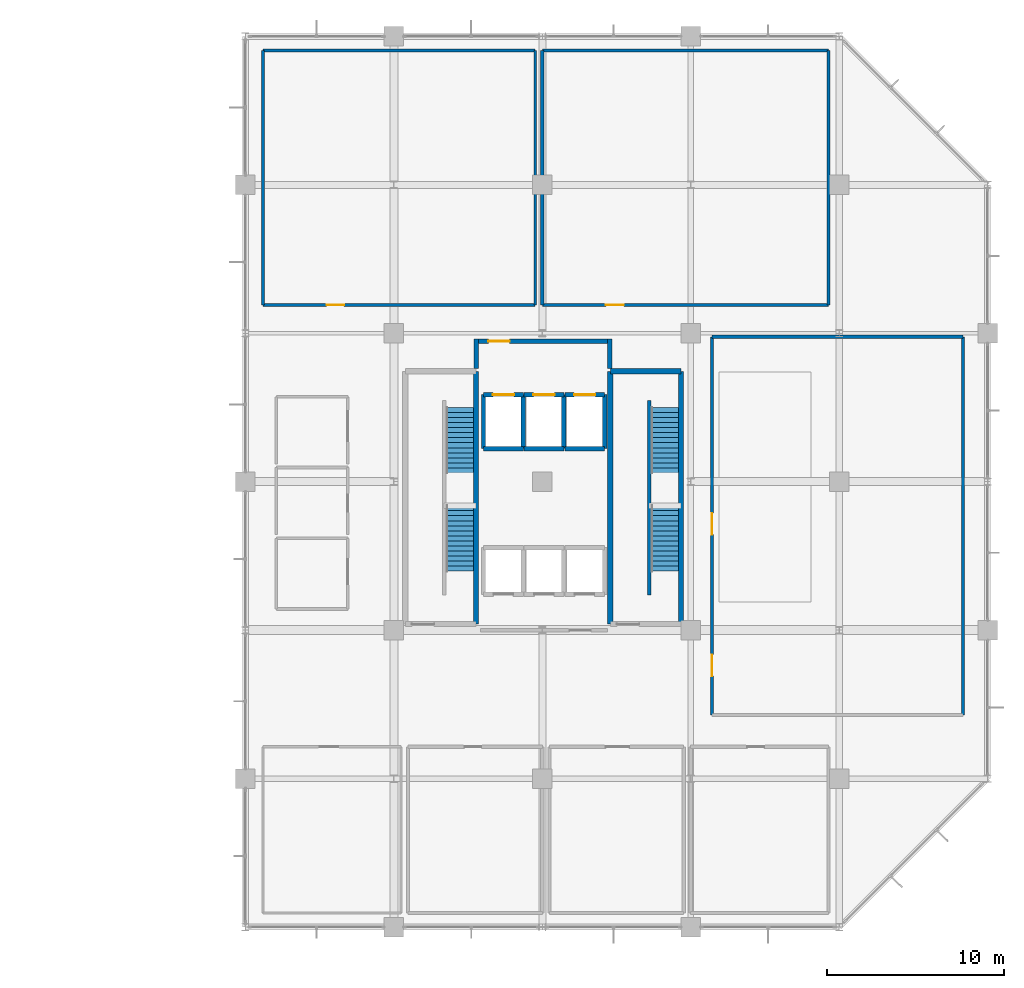
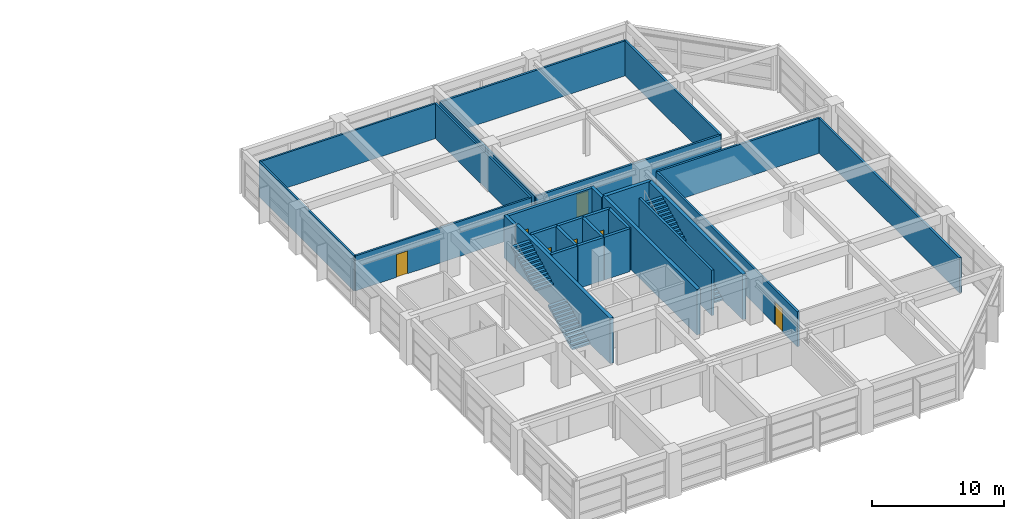
# One storey, part 17 of 19: 29 walls, 8 doors, 4 stair flights, 8 openings, 2 elements without a shape of their own.
"""IFC4 building model written with IfcOpenShell, lengths in metres."""

from ifc_helpers import new_model, si_unit, direction, frame, frame_2d, origin, place, context, subcontext, project, spatial, polyline, rectangle, outline, extrude, material, layer, layer_set, type_object, element, fill, aggregate, save


model = new_model("IFC4")

# Units and contexts
model_context = context("Model", 3, precision=1e-05, world=origin(), true_north=direction((0.0, 1.0)))
body_context = subcontext(model_context, "Body", "Model", "MODEL_VIEW")
ifc_project = project(units=[si_unit("LENGTHUNIT", "METRE"), si_unit("AREAUNIT", "SQUARE_METRE"), si_unit("VOLUMEUNIT", "CUBIC_METRE"), si_unit("PLANEANGLEUNIT", "RADIAN"), si_unit("MASSUNIT", "GRAM", prefix="KILO")], contexts=[model_context])

# Site, building, storey
site_placement = place(None, origin())
site = spatial("IfcSite", under=ifc_project, at=site_placement, CompositionType="ELEMENT")
building_placement = place(site_placement, origin())
building = spatial("IfcBuilding", under=site, at=building_placement, Name="Xuanlan Plaza Opera House", CompositionType="ELEMENT")
storey_placement = place(building_placement, frame((0.0, 0.0, 36.300048828125)))
storey = spatial("IfcBuildingStorey", under=building, at=storey_placement, Name="L08", CompositionType="ELEMENT", Elevation=36.300048828125)

# Wall
ifc_material_1 = material(Name="Gypsum Board and Galvanised Steel Studs", Category="gypsum")
ifc_layer_1 = layer(ifc_material_1, 0.179931640625)
ifc_layer_set_1 = layer_set([ifc_layer_1], Name="Gypsum Board and Galvanised Steel Studs")
wall_type_1 = type_object("IfcWallType", Name="INT-WL-PW-02", PredefinedType="PARTITIONING", material=ifc_layer_set_1)
wall_1_placement = place(storey_placement, frame((152.39990234375, 67.0, 0.0), z_axis=(0.0, 0.0, 1.0), x_axis=(1.0, 0.0, 0.0)))
element("IfcWall", 1, at=wall_1_placement, inside=storey, type_object=wall_type_1, Name="Performing Arts Production Studio Wall North", PredefinedType="PARTITIONING", context=body_context, shape_type="SweptSolid", body=[
    extrude(rectangle(XDim=14.2001953125, YDim=0.179931640625, at=frame_2d((7.10009765625, 0.0))), origin(), (0.0, 0.0, 1.0), 3.239990234375),
])

# Wall, openings, doors
wall_2_placement = place(storey_placement, frame((152.39990234375, 45.60009765625, 0.0), z_axis=(0.0, 0.0, 1.0), x_axis=(0.0, 1.0, 0.0)))
wall_2 = element("IfcWall", 2, at=wall_2_placement, inside=storey, type_object=wall_type_1, Name="Performing Arts Production Studio Wall West", PredefinedType="PARTITIONING", context=body_context, shape_type="SweptSolid", body=[
    extrude(rectangle(XDim=21.39990234375, YDim=0.179931640625, at=frame_2d((10.699951171875, 0.0))), origin(), (0.0, 0.0, 1.0), 3.239990234375),
])
opening_1_placement = place(wall_2_placement, frame((2.199951171875, 0.0, 0.0)))
opening_1 = element("IfcOpeningElement", 3, at=opening_1_placement, cuts=wall_2, Name="Opening D-05", PredefinedType="OPENING", context=body_context, shape_type="SweptSolid", body=[
    extrude(rectangle(XDim=1.219970703125, YDim=2.14990234375, at=frame_2d((0.60986328125, 1.074951171875))), frame((0.0, 0.099853515625, 0.0), z_axis=(0.0, -1.0, 0.0), x_axis=(1.0, 0.0, 0.0)), (0.0, 0.0, 1.0), 0.199951171875),
])
opening_2_placement = place(wall_2_placement, frame((10.199951171875, 0.0, 0.0)))
opening_2 = element("IfcOpeningElement", 4, at=opening_2_placement, cuts=wall_2, Name="Opening D-05", PredefinedType="OPENING", context=body_context, shape_type="SweptSolid", body=[
    extrude(rectangle(XDim=1.219970703125, YDim=2.14990234375, at=frame_2d((0.60986328125, 1.074951171875))), frame((0.0, 0.099853515625, 0.0), z_axis=(0.0, -1.0, 0.0), x_axis=(1.0, 0.0, 0.0)), (0.0, 0.0, 1.0), 0.199951171875),
])
ifc_material_2 = material(Name="Walnut Hardwood Timber", Category="wood")
door_type_1 = type_object("IfcDoorType", Name="INT-DR-D-05", OperationType="NOTDEFINED", PredefinedType="DOOR", material=ifc_material_2)
door_1_placement = place(opening_1_placement, origin())
door_1 = element("IfcDoor", 5, at=door_1_placement, inside=storey, type_object=door_type_1, Name="Performing Arts Production Studio Door 1", OperationType="SINGLE_SWING_LEFT", OverallHeight=2.14990234375, OverallWidth=1.219970703125, PredefinedType="DOOR", context=body_context, shape_type="SweptSolid", body=[
    extrude(rectangle(XDim=1.219970703125, YDim=2.14990234375, at=frame_2d((0.60986328125, 1.074951171875))), frame((0.0, 0.02490234375, 0.0), z_axis=(0.0, -1.0, 0.0), x_axis=(1.0, 0.0, 0.0)), (0.0, 0.0, 1.0), 0.050048828125),
])
fill(opening_1, door_1)
door_2_placement = place(opening_2_placement, origin())
door_2 = element("IfcDoor", 6, at=door_2_placement, inside=storey, type_object=door_type_1, Name="Performing Arts Production Studio Door 2", OperationType="SINGLE_SWING_RIGHT", OverallHeight=2.14990234375, OverallWidth=1.219970703125, PredefinedType="DOOR", context=body_context, shape_type="SweptSolid", body=[
    extrude(rectangle(XDim=1.219970703125, YDim=2.14990234375, at=frame_2d((0.60986328125, 1.074951171875))), frame((0.0, 0.02490234375, 0.0), z_axis=(0.0, -1.0, 0.0), x_axis=(1.0, 0.0, 0.0)), (0.0, 0.0, 1.0), 0.050048828125),
])
fill(opening_2, door_2)

# Wall
wall_3_placement = place(storey_placement, frame((166.60009765625, 45.60009765625, 0.0), z_axis=(0.0, 0.0, 1.0), x_axis=(0.0, 1.0, 0.0)))
element("IfcWall", 7, at=wall_3_placement, inside=storey, type_object=wall_type_1, Name="Performing Arts Production Studio Wall East", PredefinedType="PARTITIONING", context=body_context, shape_type="SweptSolid", body=[
    extrude(rectangle(XDim=21.39990234375, YDim=0.179931640625, at=frame_2d((10.699951171875, 0.0))), origin(), (0.0, 0.0, 1.0), 3.239990234375),
])

# Wall, opening, door
wall_4_placement = place(storey_placement, frame((142.800048828125, 68.800048828125, 0.0), z_axis=(0.0, 0.0, 1.0), x_axis=(1.0, 0.0, 0.0)))
wall_4 = element("IfcWall", 8, at=wall_4_placement, inside=storey, type_object=wall_type_1, Name="Dramaturgy and Programme Office Wall South", PredefinedType="PARTITIONING", context=body_context, shape_type="SweptSolid", body=[
    extrude(rectangle(XDim=16.199951171875, YDim=0.179931640625, at=frame_2d((8.10009765625, 0.0))), origin(), (0.0, 0.0, 1.0), 3.239990234375),
])
opening_3_placement = place(wall_4_placement, frame((3.60009765625, 0.0, 0.0)))
opening_3 = element("IfcOpeningElement", 9, at=opening_3_placement, cuts=wall_4, Name="Opening D-02", PredefinedType="OPENING", context=body_context, shape_type="SweptSolid", body=[
    extrude(rectangle(XDim=1.02001953125, YDim=2.10009765625, at=frame_2d((0.510009765625, 1.050048828125))), frame((0.0, 0.099853515625, 0.0), z_axis=(0.0, -1.0, 0.0), x_axis=(1.0, 0.0, 0.0)), (0.0, 0.0, 1.0), 0.199951171875),
])
ifc_material_3 = material(Name="Oak Hardwood Timber", Category="wood")
door_type_2 = type_object("IfcDoorType", Name="INT-DR-D-02", OperationType="NOTDEFINED", PredefinedType="DOOR", material=ifc_material_3)
door_3_placement = place(opening_3_placement, origin())
door_3 = element("IfcDoor", 10, at=door_3_placement, inside=storey, type_object=door_type_2, Name="Dramaturgy and Programme Office Door 1", OperationType="SINGLE_SWING_LEFT", OverallHeight=2.10009765625, OverallWidth=1.02001953125, PredefinedType="DOOR", context=body_context, shape_type="SweptSolid", body=[
    extrude(rectangle(XDim=1.02001953125, YDim=2.10009765625, at=frame_2d((0.510009765625, 1.050048828125))), frame((0.0, 0.02490234375, 0.0), z_axis=(0.0, -1.0, 0.0), x_axis=(1.0, 0.0, 0.0)), (0.0, 0.0, 1.0), 0.050048828125),
])
fill(opening_3, door_3)

# Walls
wall_5_placement = place(storey_placement, frame((142.800048828125, 83.199951171875, 0.0), z_axis=(0.0, 0.0, 1.0), x_axis=(1.0, 0.0, 0.0)))
element("IfcWall", 11, at=wall_5_placement, inside=storey, type_object=wall_type_1, Name="Dramaturgy and Programme Office Wall North", PredefinedType="PARTITIONING", context=body_context, shape_type="SweptSolid", body=[
    extrude(rectangle(XDim=16.199951171875, YDim=0.179931640625, at=frame_2d((8.10009765625, 0.0))), origin(), (0.0, 0.0, 1.0), 3.239990234375),
])
for number, where, z_axis, x_axis, name in (
    (12, (142.800048828125, 68.800048828125, 0.0), (0.0, 0.0, 1.0), (0.0, 1.0, 0.0), "Dramaturgy and Programme Office Wall West"),
    (13, (159.0, 68.800048828125, 0.0), (0.0, 0.0, 1.0), (0.0, 1.0, 0.0), "Dramaturgy and Programme Office Wall East"),
):
    element("IfcWall", number, at=place(storey_placement, frame(where, z_axis=z_axis, x_axis=x_axis)), inside=storey, type_object=wall_type_1, Name=name, PredefinedType="PARTITIONING", context=body_context, shape_type="SweptSolid", body=[
        extrude(rectangle(XDim=14.39990234375, YDim=0.179931640625, at=frame_2d((7.199951171875, 0.0))), origin(), (0.0, 0.0, 1.0), 3.239990234375),
    ])

# Wall, opening, door
ifc_layer_2 = layer(ifc_material_1, 0.159912109375)
ifc_layer_set_2 = layer_set([ifc_layer_2], Name="Gypsum Board and Galvanised Steel Studs")
wall_type_2 = type_object("IfcWallType", Name="INT-WL-PW-05", PredefinedType="PARTITIONING", material=ifc_layer_set_2)
wall_6_placement = place(storey_placement, frame((127.0, 68.800048828125, 0.0), z_axis=(0.0, 0.0, 1.0), x_axis=(1.0, 0.0, 0.0)))
wall_6 = element("IfcWall", 14, at=wall_6_placement, inside=storey, type_object=wall_type_2, Name="Artistic Direction Boardroom Wall South", PredefinedType="PARTITIONING", context=body_context, shape_type="SweptSolid", body=[
    extrude(rectangle(XDim=15.39990234375, YDim=0.159912109375, at=frame_2d((7.699951171875, 0.0))), origin(), (0.0, 0.0, 1.0), 3.239990234375),
])
opening_4_placement = place(wall_6_placement, frame((3.60009765625, 0.0, 0.0)))
opening_4 = element("IfcOpeningElement", 15, at=opening_4_placement, cuts=wall_6, Name="Opening D-09", PredefinedType="OPENING", context=body_context, shape_type="SweptSolid", body=[
    extrude(rectangle(XDim=0.97998046875, YDim=2.1201171875, at=frame_2d((0.489990234375, 1.06005859375))), frame((0.0, 0.08984375, 0.0), z_axis=(0.0, -1.0, 0.0), x_axis=(1.0, 0.0, 0.0)), (0.0, 0.0, 1.0), 0.179931640625),
])
door_type_3 = type_object("IfcDoorType", Name="INT-DR-D-09", OperationType="NOTDEFINED", PredefinedType="DOOR", material=ifc_material_2)
door_4_placement = place(opening_4_placement, origin())
door_4 = element("IfcDoor", 16, at=door_4_placement, inside=storey, type_object=door_type_3, Name="Artistic Direction Boardroom Door 1", OperationType="SINGLE_SWING_LEFT", OverallHeight=2.1201171875, OverallWidth=0.97998046875, PredefinedType="DOOR", context=body_context, shape_type="SweptSolid", body=[
    extrude(rectangle(XDim=0.97998046875, YDim=2.1201171875, at=frame_2d((0.489990234375, 1.06005859375))), frame((0.0, 0.02490234375, 0.0), z_axis=(0.0, -1.0, 0.0), x_axis=(1.0, 0.0, 0.0)), (0.0, 0.0, 1.0), 0.050048828125),
])
fill(opening_4, door_4)

# Walls
wall_7_placement = place(storey_placement, frame((127.0, 83.199951171875, 0.0), z_axis=(0.0, 0.0, 1.0), x_axis=(1.0, 0.0, 0.0)))
element("IfcWall", 17, at=wall_7_placement, inside=storey, type_object=wall_type_2, Name="Artistic Direction Boardroom Wall North", PredefinedType="PARTITIONING", context=body_context, shape_type="SweptSolid", body=[
    extrude(rectangle(XDim=15.39990234375, YDim=0.159912109375, at=frame_2d((7.699951171875, 0.0))), origin(), (0.0, 0.0, 1.0), 3.239990234375),
])
for number, where, z_axis, x_axis, name in (
    (18, (127.0, 68.800048828125, 0.0), (0.0, 0.0, 1.0), (0.0, 1.0, 0.0), "Artistic Direction Boardroom Wall West"),
    (19, (142.39990234375, 68.800048828125, 0.0), (0.0, 0.0, 1.0), (0.0, 1.0, 0.0), "Artistic Direction Boardroom Wall East"),
):
    element("IfcWall", number, at=place(storey_placement, frame(where, z_axis=z_axis, x_axis=x_axis)), inside=storey, type_object=wall_type_2, Name=name, PredefinedType="PARTITIONING", context=body_context, shape_type="SweptSolid", body=[
        extrude(rectangle(XDim=14.39990234375, YDim=0.159912109375, at=frame_2d((7.199951171875, 0.0))), origin(), (0.0, 0.0, 1.0), 3.239990234375),
    ])
ifc_material_4 = material(Name="Concrete C40", Category="concrete")
ifc_layer_3 = layer(ifc_material_4, 0.25)
ifc_layer_set_3 = layer_set([ifc_layer_3], Name="Concrete C40")
wall_type_3 = type_object("IfcWallType", Name="INT-WL-SW-LF1", PredefinedType="SHEAR", material=ifc_layer_set_3)
wall_8_placement = place(storey_placement, frame((139.47509765625, 60.675048828125, 0.0), z_axis=(0.0, 0.0, 1.0), x_axis=(1.0, 0.0, 0.0)))
element("IfcWall", 20, at=wall_8_placement, inside=storey, type_object=wall_type_3, Name="Lift Shaft Wall LF-FF1 L08 South", PredefinedType="SHEAR", context=body_context, shape_type="SweptSolid", body=[
    extrude(rectangle(XDim=2.25, YDim=0.25, at=frame_2d((1.125, 0.0))), origin(), (0.0, 0.0, 1.0), 3.9599609375),
])

# Wall, opening, door
wall_9_placement = place(storey_placement, frame((139.47509765625, 63.72509765625, 0.0), z_axis=(0.0, 0.0, 1.0), x_axis=(1.0, 0.0, 0.0)))
wall_9 = element("IfcWall", 21, at=wall_9_placement, inside=storey, type_object=wall_type_3, Name="Lift Shaft Wall LF-FF1 L08 North", PredefinedType="SHEAR", context=body_context, shape_type="SweptSolid", body=[
    extrude(rectangle(XDim=2.25, YDim=0.25, at=frame_2d((1.125, 0.0))), origin(), (0.0, 0.0, 1.0), 3.9599609375),
])
opening_5_placement = place(wall_9_placement, frame((0.52490234375, 0.0, 0.0)))
opening_5 = element("IfcOpeningElement", 22, at=opening_5_placement, cuts=wall_9, Name="Opening LD-FF1-L08", PredefinedType="OPENING", context=body_context, shape_type="SweptSolid", body=[
    extrude(rectangle(XDim=1.199951171875, YDim=2.179931640625, at=frame_2d((0.60009765625, 1.08984375))), frame((0.0, 0.135009765625, 0.0), z_axis=(0.0, -1.0, 0.0), x_axis=(1.0, 0.0, 0.0)), (0.0, 0.0, 1.0), 0.27001953125),
])
ifc_material_5 = material(Name="Stainless Steel S30408", Category="steel")
door_type_4 = type_object("IfcDoorType", Name="INT-DR-LD-02", OperationType="DOUBLE_DOOR_SLIDING", PredefinedType="DOOR", material=ifc_material_5)
door_5_placement = place(opening_5_placement, origin())
door_5 = element("IfcDoor", 23, at=door_5_placement, inside=storey, type_object=door_type_4, Name="Lift Sliding Landing Door LF-FF1 L08", OperationType="DOUBLE_DOOR_SLIDING", OverallHeight=2.179931640625, OverallWidth=1.199951171875, PredefinedType="DOOR", context=body_context, shape_type="SweptSolid", body=[
    extrude(rectangle(XDim=1.199951171875, YDim=2.179931640625, at=frame_2d((0.60009765625, 1.08984375))), frame((0.0, 0.02490234375, 0.0), z_axis=(0.0, -1.0, 0.0), x_axis=(1.0, 0.0, 0.0)), (0.0, 0.0, 1.0), 0.050048828125),
])
fill(opening_5, door_5)

# Walls
for number, where, z_axis, x_axis, name in (
    (24, (139.47509765625, 60.675048828125, 0.0), (0.0, 0.0, 1.0), (0.0, 1.0, 0.0), "Lift Shaft Wall LF-FF1 L08 West"),
    (25, (141.72509765625, 60.675048828125, 0.0), (0.0, 0.0, 1.0), (0.0, 1.0, 0.0), "Lift Shaft Wall LF-FF1 L08 East"),
):
    element("IfcWall", number, at=place(storey_placement, frame(where, z_axis=z_axis, x_axis=x_axis)), inside=storey, type_object=wall_type_3, Name=name, PredefinedType="SHEAR", context=body_context, shape_type="SweptSolid", body=[
        extrude(rectangle(XDim=3.050048828125, YDim=0.25, at=frame_2d((1.52490234375, 0.0))), origin(), (0.0, 0.0, 1.0), 3.9599609375),
    ])
wall_10_placement = place(storey_placement, frame((141.77490234375, 60.675048828125, 0.0), z_axis=(0.0, 0.0, 1.0), x_axis=(1.0, 0.0, 0.0)))
element("IfcWall", 26, at=wall_10_placement, inside=storey, type_object=wall_type_3, Name="Lift Shaft Wall LF-FF2 L08 South", PredefinedType="SHEAR", context=body_context, shape_type="SweptSolid", body=[
    extrude(rectangle(XDim=2.25, YDim=0.25, at=frame_2d((1.125, 0.0))), origin(), (0.0, 0.0, 1.0), 3.9599609375),
])

# Wall, opening, door
wall_11_placement = place(storey_placement, frame((141.77490234375, 63.72509765625, 0.0), z_axis=(0.0, 0.0, 1.0), x_axis=(1.0, 0.0, 0.0)))
wall_11 = element("IfcWall", 27, at=wall_11_placement, inside=storey, type_object=wall_type_3, Name="Lift Shaft Wall LF-FF2 L08 North", PredefinedType="SHEAR", context=body_context, shape_type="SweptSolid", body=[
    extrude(rectangle(XDim=2.25, YDim=0.25, at=frame_2d((1.125, 0.0))), origin(), (0.0, 0.0, 1.0), 3.9599609375),
])
opening_6_placement = place(wall_11_placement, frame((0.52490234375, 0.0, 0.0)))
opening_6 = element("IfcOpeningElement", 28, at=opening_6_placement, cuts=wall_11, Name="Opening LD-FF2-L08", PredefinedType="OPENING", context=body_context, shape_type="SweptSolid", body=[
    extrude(rectangle(XDim=1.199951171875, YDim=2.179931640625, at=frame_2d((0.60009765625, 1.08984375))), frame((0.0, 0.135009765625, 0.0), z_axis=(0.0, -1.0, 0.0), x_axis=(1.0, 0.0, 0.0)), (0.0, 0.0, 1.0), 0.27001953125),
])
door_6_placement = place(opening_6_placement, origin())
door_6 = element("IfcDoor", 29, at=door_6_placement, inside=storey, type_object=door_type_4, Name="Lift Sliding Landing Door LF-FF2 L08", OperationType="DOUBLE_DOOR_SLIDING", OverallHeight=2.179931640625, OverallWidth=1.199951171875, PredefinedType="DOOR", context=body_context, shape_type="SweptSolid", body=[
    extrude(rectangle(XDim=1.199951171875, YDim=2.179931640625, at=frame_2d((0.60009765625, 1.08984375))), frame((0.0, 0.02490234375, 0.0), z_axis=(0.0, -1.0, 0.0), x_axis=(1.0, 0.0, 0.0)), (0.0, 0.0, 1.0), 0.050048828125),
])
fill(opening_6, door_6)

# Walls
wall_12_placement = place(storey_placement, frame((144.02490234375, 60.675048828125, 0.0), z_axis=(0.0, 0.0, 1.0), x_axis=(0.0, 1.0, 0.0)))
element("IfcWall", 30, at=wall_12_placement, inside=storey, type_object=wall_type_3, Name="Lift Shaft Wall LF-FF2 L08 East", PredefinedType="SHEAR", context=body_context, shape_type="SweptSolid", body=[
    extrude(rectangle(XDim=3.050048828125, YDim=0.25, at=frame_2d((1.52490234375, 0.0))), origin(), (0.0, 0.0, 1.0), 3.9599609375),
])
wall_13_placement = place(storey_placement, frame((144.074951171875, 60.675048828125, 0.0), z_axis=(0.0, 0.0, 1.0), x_axis=(1.0, 0.0, 0.0)))
element("IfcWall", 31, at=wall_13_placement, inside=storey, type_object=wall_type_3, Name="Lift Shaft Wall LF-FF3 L08 South", PredefinedType="SHEAR", context=body_context, shape_type="SweptSolid", body=[
    extrude(rectangle(XDim=2.25, YDim=0.25, at=frame_2d((1.125, 0.0))), origin(), (0.0, 0.0, 1.0), 3.9599609375),
])

# Wall, opening, door
wall_14_placement = place(storey_placement, frame((144.074951171875, 63.72509765625, 0.0), z_axis=(0.0, 0.0, 1.0), x_axis=(1.0, 0.0, 0.0)))
wall_14 = element("IfcWall", 32, at=wall_14_placement, inside=storey, type_object=wall_type_3, Name="Lift Shaft Wall LF-FF3 L08 North", PredefinedType="SHEAR", context=body_context, shape_type="SweptSolid", body=[
    extrude(rectangle(XDim=2.25, YDim=0.25, at=frame_2d((1.125, 0.0))), origin(), (0.0, 0.0, 1.0), 3.9599609375),
])
opening_7_placement = place(wall_14_placement, frame((0.52490234375, 0.0, 0.0)))
opening_7 = element("IfcOpeningElement", 33, at=opening_7_placement, cuts=wall_14, Name="Opening LD-FF3-L08", PredefinedType="OPENING", context=body_context, shape_type="SweptSolid", body=[
    extrude(rectangle(XDim=1.199951171875, YDim=2.179931640625, at=frame_2d((0.60009765625, 1.08984375))), frame((0.0, 0.135009765625, 0.0), z_axis=(0.0, -1.0, 0.0), x_axis=(1.0, 0.0, 0.0)), (0.0, 0.0, 1.0), 0.27001953125),
])
door_7_placement = place(opening_7_placement, origin())
door_7 = element("IfcDoor", 34, at=door_7_placement, inside=storey, type_object=door_type_4, Name="Lift Sliding Landing Door LF-FF3 L08", OperationType="DOUBLE_DOOR_SLIDING", OverallHeight=2.179931640625, OverallWidth=1.199951171875, PredefinedType="DOOR", context=body_context, shape_type="SweptSolid", body=[
    extrude(rectangle(XDim=1.199951171875, YDim=2.179931640625, at=frame_2d((0.60009765625, 1.08984375))), frame((0.0, 0.02490234375, 0.0), z_axis=(0.0, -1.0, 0.0), x_axis=(1.0, 0.0, 0.0)), (0.0, 0.0, 1.0), 0.050048828125),
])
fill(opening_7, door_7)

# Walls
wall_15_placement = place(storey_placement, frame((146.324951171875, 60.675048828125, 0.0), z_axis=(0.0, 0.0, 1.0), x_axis=(0.0, 1.0, 0.0)))
element("IfcWall", 35, at=wall_15_placement, inside=storey, type_object=wall_type_3, Name="Lift Shaft Wall LF-FF3 L08 East", PredefinedType="SHEAR", context=body_context, shape_type="SweptSolid", body=[
    extrude(rectangle(XDim=3.050048828125, YDim=0.25, at=frame_2d((1.52490234375, 0.0))), origin(), (0.0, 0.0, 1.0), 3.9599609375),
])
for number, where, z_axis, x_axis, name in (
    (36, (139.074951171875, 65.199951171875, 0.0), (0.0, 0.0, 1.0), (0.0, 1.0, 0.0), "Firefighting Lift Lobby Enclosure Wall L08 W"),
    (37, (146.625, 65.199951171875, 0.0), (0.0, 0.0, 1.0), (0.0, 1.0, 0.0), "Firefighting Lift Lobby Enclosure Wall L08 E"),
):
    element("IfcWall", number, at=place(storey_placement, frame(where, z_axis=z_axis, x_axis=x_axis)), inside=storey, type_object=wall_type_3, Name=name, PredefinedType="SHEAR", context=body_context, shape_type="SweptSolid", body=[
        extrude(rectangle(XDim=1.675048828125, YDim=0.25, at=frame_2d((0.83740234375, 0.0))), origin(), (0.0, 0.0, 1.0), 3.9599609375),
    ])

# Wall, opening, door
wall_16_placement = place(storey_placement, frame((139.199951171875, 66.75, 0.0), z_axis=(0.0, 0.0, 1.0), x_axis=(1.0, 0.0, 0.0)))
wall_16 = element("IfcWall", 38, at=wall_16_placement, inside=storey, type_object=wall_type_3, Name="Firefighting Lift Lobby Wall North", PredefinedType="SHEAR", context=body_context, shape_type="SweptSolid", body=[
    extrude(rectangle(XDim=7.300048828125, YDim=0.25, at=frame_2d((3.64990234375, 0.0))), origin(), (0.0, 0.0, 1.0), 3.9599609375),
])
opening_8_placement = place(wall_16_placement, frame((0.550048828125, 0.0, 0.0)))
opening_8 = element("IfcOpeningElement", 39, at=opening_8_placement, cuts=wall_16, Name="Opening FD-02", PredefinedType="OPENING", context=body_context, shape_type="SweptSolid", body=[
    extrude(rectangle(XDim=1.199951171875, YDim=2.14990234375, at=frame_2d((0.60009765625, 1.074951171875))), frame((0.0, 0.135009765625, 0.0), z_axis=(0.0, -1.0, 0.0), x_axis=(1.0, 0.0, 0.0)), (0.0, 0.0, 1.0), 0.27001953125),
])
ifc_material_6 = material(Name="Galvanised Steel Q235B", Category="steel")
door_type_5 = type_object("IfcDoorType", Name="INT-DR-FD-02", OperationType="NOTDEFINED", PredefinedType="DOOR", material=ifc_material_6)
door_8_placement = place(opening_8_placement, origin())
door_8 = element("IfcDoor", 40, at=door_8_placement, inside=storey, type_object=door_type_5, Name="Firefighting Lift Lobby Door 1", OperationType="SINGLE_SWING_RIGHT", OverallHeight=2.14990234375, OverallWidth=1.199951171875, PredefinedType="DOOR", context=body_context, shape_type="SweptSolid", body=[
    extrude(rectangle(XDim=1.199951171875, YDim=2.14990234375, at=frame_2d((0.60009765625, 1.074951171875))), frame((0.0, 0.02490234375, 0.0), z_axis=(0.0, -1.0, 0.0), x_axis=(1.0, 0.0, 0.0)), (0.0, 0.0, 1.0), 0.050048828125),
])
fill(opening_8, door_8)

# Walls
ifc_layer_4 = layer(ifc_material_4, 0.199951171875)
ifc_layer_set_4 = layer_set([ifc_layer_4], Name="Concrete C40")
wall_type_4 = type_object("IfcWallType", Name="INT-WL-SW-SPN", PredefinedType="SHEAR", material=ifc_layer_set_4)
wall_17_placement = place(storey_placement, frame((148.85009765625, 52.39990234375, 0.0), z_axis=(0.0, 0.0, 1.0), x_axis=(0.0, 1.0, 0.0)))
element("IfcWall", 41, at=wall_17_placement, inside=storey, type_object=wall_type_4, Name="Stair Structural Spine Wall ST-T2 L08", PredefinedType="SHEAR", context=body_context, shape_type="SweptSolid", body=[
    extrude(rectangle(XDim=11.0, YDim=0.199951171875, at=frame_2d((5.5, 0.0))), origin(), (0.0, 0.0, 1.0), 4.199951171875),
])
ifc_layer_5 = layer(ifc_material_4, 0.300048828125)
ifc_layer_set_5 = layer_set([ifc_layer_5], Name="Concrete C40")
wall_type_5 = type_object("IfcWallType", Name="INT-WL-SW-ST1", PredefinedType="SHEAR", material=ifc_layer_set_5)
wall_18_placement = place(storey_placement, frame((139.050048828125, 50.75, 0.0), z_axis=(0.0, 0.0, 1.0), x_axis=(0.0, 1.0, 0.0)))
element("IfcWall", 42, at=wall_18_placement, inside=storey, type_object=wall_type_5, Name="Stair Core Wall ST-T1 L08 East", PredefinedType="SHEAR", context=body_context, shape_type="SweptSolid", body=[
    extrude(rectangle(XDim=14.300048828125, YDim=0.300048828125, at=frame_2d((7.14990234375, 0.0))), origin(), (0.0, 0.0, 1.0), 4.199951171875),
])
wall_19_placement = place(storey_placement, frame((146.64990234375, 65.050048828125, 0.0), z_axis=(0.0, 0.0, 1.0), x_axis=(1.0, 0.0, 0.0)))
element("IfcWall", 43, at=wall_19_placement, inside=storey, type_object=wall_type_5, Name="Stair Core Wall ST-T2 L08 North", PredefinedType="SHEAR", context=body_context, shape_type="SweptSolid", body=[
    extrude(rectangle(XDim=4.0, YDim=0.300048828125, at=frame_2d((2.0, 0.0))), origin(), (0.0, 0.0, 1.0), 4.199951171875),
])
for number, where, z_axis, x_axis, name in (
    (44, (146.64990234375, 50.75, 0.0), (0.0, 0.0, 1.0), (0.0, 1.0, 0.0), "Stair Core Wall ST-T2 L08 West"),
    (45, (150.64990234375, 50.75, 0.0), (0.0, 0.0, 1.0), (0.0, 1.0, 0.0), "Stair Core Wall ST-T2 L08 East"),
):
    element("IfcWall", number, at=place(storey_placement, frame(where, z_axis=z_axis, x_axis=x_axis)), inside=storey, type_object=wall_type_5, Name=name, PredefinedType="SHEAR", context=body_context, shape_type="SweptSolid", body=[
        extrude(rectangle(XDim=14.300048828125, YDim=0.300048828125, at=frame_2d((7.14990234375, 0.0))), origin(), (0.0, 0.0, 1.0), 4.199951171875),
    ])

# Stair, stair flights
stair_type = type_object("IfcStairType", Name="INT-ST-STR-T155", PredefinedType="STRAIGHT_RUN_STAIR", material=ifc_material_4)
stair_1_placement = place(storey_placement, origin())
stair_1 = element("IfcStair", 46, at=stair_1_placement, inside=storey, type_object=stair_type, Name="Protected Exit Stair ST-T1 L08", PredefinedType="STRAIGHT_RUN_STAIR")
ifc_layer_6 = layer(ifc_material_4, 0.159912109375)
ifc_layer_set_6 = layer_set([ifc_layer_6], Name="Concrete C40")
stair_flight_type = type_object("IfcStairFlightType", Name="INT-FL-FL-155", PredefinedType="STRAIGHT", material=ifc_layer_set_6)
stair_flight_1_placement = place(storey_placement, frame((138.125, 53.739990234375, 0.0), z_axis=(0.0, 0.0, 1.0), x_axis=(0.0, 1.0, 0.0)))
stair_flight_1 = element("IfcStairFlight", 47, at=stair_flight_1_placement, type_object=stair_flight_type, Name="ST-T1-L08 flight 1", NumberOfRisers=14, NumberOfTreads=13, PredefinedType="STRAIGHT", RiserHeight=0.15, TreadLength=0.285, context=body_context, shape_type="SweptSolid", body=[
    extrude(outline(polyline([(0.0, 0.0), (0.0, 0.14990234375), (0.284912109375, 0.14990234375), (0.284912109375, 0.300048828125), (0.570068359375, 0.300048828125), (0.570068359375, 0.449951171875), (0.85498046875, 0.449951171875), (0.85498046875, 0.60009765625), (1.139892578125, 0.60009765625), (1.139892578125, 0.75), (1.425048828125, 0.75), (1.425048828125, 0.89990234375), (1.7099609375, 0.89990234375), (1.7099609375, 1.050048828125), (1.9951171875, 1.050048828125), (1.9951171875, 1.199951171875), (2.280029296875, 1.199951171875), (2.280029296875, 1.35009765625), (2.56494140625, 1.35009765625), (2.56494140625, 1.5), (2.85009765625, 1.5), (2.85009765625, 1.64990234375), (3.135009765625, 1.64990234375), (3.135009765625, 1.800048828125), (3.419921875, 1.800048828125), (3.419921875, 1.949951171875), (3.705078125, 1.949951171875), (3.705078125, 2.10009765625), (3.705078125, 1.769287109375), (0.34326171875, 0.0), (0.0, 0.0)])), frame((0.0, 0.77490234375, 0.0), z_axis=(0.0, -1.0, 0.0), x_axis=(1.0, 0.0, 0.0)), (0.0, 0.0, 1.0), 1.550048828125),
])
stair_flight_2_placement = place(storey_placement, frame((138.125, 59.294921875, 2.099853515625), z_axis=(0.0, 0.0, 1.0), x_axis=(0.0, 1.0, 0.0)))
stair_flight_2 = element("IfcStairFlight", 48, at=stair_flight_2_placement, type_object=stair_flight_type, Name="ST-T1-L08 flight 2", NumberOfRisers=14, NumberOfTreads=13, PredefinedType="STRAIGHT", RiserHeight=0.15, TreadLength=0.285, context=body_context, shape_type="SweptSolid", body=[
    extrude(outline(polyline([(0.0, 0.0), (0.0, 0.14990234375), (0.284912109375, 0.14990234375), (0.284912109375, 0.300048828125), (0.570068359375, 0.300048828125), (0.570068359375, 0.449951171875), (0.85498046875, 0.449951171875), (0.85498046875, 0.60009765625), (1.139892578125, 0.60009765625), (1.139892578125, 0.75), (1.425048828125, 0.75), (1.425048828125, 0.89990234375), (1.7099609375, 0.89990234375), (1.7099609375, 1.050048828125), (1.9951171875, 1.050048828125), (1.9951171875, 1.199951171875), (2.280029296875, 1.199951171875), (2.280029296875, 1.35009765625), (2.56494140625, 1.35009765625), (2.56494140625, 1.5), (2.85009765625, 1.5), (2.85009765625, 1.64990234375), (3.135009765625, 1.64990234375), (3.135009765625, 1.800048828125), (3.419921875, 1.800048828125), (3.419921875, 1.949951171875), (3.705078125, 1.949951171875), (3.705078125, 2.10009765625), (3.705078125, 1.769287109375), (0.34326171875, 0.0), (0.0, 0.0)])), frame((0.0, 0.77490234375, 0.0), z_axis=(0.0, -1.0, 0.0), x_axis=(1.0, 0.0, 0.0)), (0.0, 0.0, 1.0), 1.550048828125),
])
aggregate(stair_1, [stair_flight_1, stair_flight_2])

stair_2_placement = place(storey_placement, origin())
stair_2 = element("IfcStair", 49, at=stair_2_placement, inside=storey, type_object=stair_type, Name="Protected Exit Stair ST-T2 L08", PredefinedType="STRAIGHT_RUN_STAIR")
stair_flight_3_placement = place(storey_placement, frame((149.72509765625, 53.739990234375, 0.0), z_axis=(0.0, 0.0, 1.0), x_axis=(0.0, 1.0, 0.0)))
stair_flight_3 = element("IfcStairFlight", 50, at=stair_flight_3_placement, type_object=stair_flight_type, Name="ST-T2-L08 flight 1", NumberOfRisers=14, NumberOfTreads=13, PredefinedType="STRAIGHT", RiserHeight=0.15, TreadLength=0.285, context=body_context, shape_type="SweptSolid", body=[
    extrude(outline(polyline([(0.0, 0.0), (0.0, 0.14990234375), (0.284912109375, 0.14990234375), (0.284912109375, 0.300048828125), (0.570068359375, 0.300048828125), (0.570068359375, 0.449951171875), (0.85498046875, 0.449951171875), (0.85498046875, 0.60009765625), (1.139892578125, 0.60009765625), (1.139892578125, 0.75), (1.425048828125, 0.75), (1.425048828125, 0.89990234375), (1.7099609375, 0.89990234375), (1.7099609375, 1.050048828125), (1.9951171875, 1.050048828125), (1.9951171875, 1.199951171875), (2.280029296875, 1.199951171875), (2.280029296875, 1.35009765625), (2.56494140625, 1.35009765625), (2.56494140625, 1.5), (2.85009765625, 1.5), (2.85009765625, 1.64990234375), (3.135009765625, 1.64990234375), (3.135009765625, 1.800048828125), (3.419921875, 1.800048828125), (3.419921875, 1.949951171875), (3.705078125, 1.949951171875), (3.705078125, 2.10009765625), (3.705078125, 1.769287109375), (0.34326171875, 0.0), (0.0, 0.0)])), frame((0.0, 0.77490234375, 0.0), z_axis=(0.0, -1.0, 0.0), x_axis=(1.0, 0.0, 0.0)), (0.0, 0.0, 1.0), 1.550048828125),
])
stair_flight_4_placement = place(storey_placement, frame((149.72509765625, 59.294921875, 2.099853515625), z_axis=(0.0, 0.0, 1.0), x_axis=(0.0, 1.0, 0.0)))
stair_flight_4 = element("IfcStairFlight", 51, at=stair_flight_4_placement, type_object=stair_flight_type, Name="ST-T2-L08 flight 2", NumberOfRisers=14, NumberOfTreads=13, PredefinedType="STRAIGHT", RiserHeight=0.15, TreadLength=0.285, context=body_context, shape_type="SweptSolid", body=[
    extrude(outline(polyline([(0.0, 0.0), (0.0, 0.14990234375), (0.284912109375, 0.14990234375), (0.284912109375, 0.300048828125), (0.570068359375, 0.300048828125), (0.570068359375, 0.449951171875), (0.85498046875, 0.449951171875), (0.85498046875, 0.60009765625), (1.139892578125, 0.60009765625), (1.139892578125, 0.75), (1.425048828125, 0.75), (1.425048828125, 0.89990234375), (1.7099609375, 0.89990234375), (1.7099609375, 1.050048828125), (1.9951171875, 1.050048828125), (1.9951171875, 1.199951171875), (2.280029296875, 1.199951171875), (2.280029296875, 1.35009765625), (2.56494140625, 1.35009765625), (2.56494140625, 1.5), (2.85009765625, 1.5), (2.85009765625, 1.64990234375), (3.135009765625, 1.64990234375), (3.135009765625, 1.800048828125), (3.419921875, 1.800048828125), (3.419921875, 1.949951171875), (3.705078125, 1.949951171875), (3.705078125, 2.10009765625), (3.705078125, 1.769287109375), (0.34326171875, 0.0), (0.0, 0.0)])), frame((0.0, 0.77490234375, 0.0), z_axis=(0.0, -1.0, 0.0), x_axis=(1.0, 0.0, 0.0)), (0.0, 0.0, 1.0), 1.550048828125),
])
aggregate(stair_2, [stair_flight_3, stair_flight_4])

save(model, "model.ifc")
